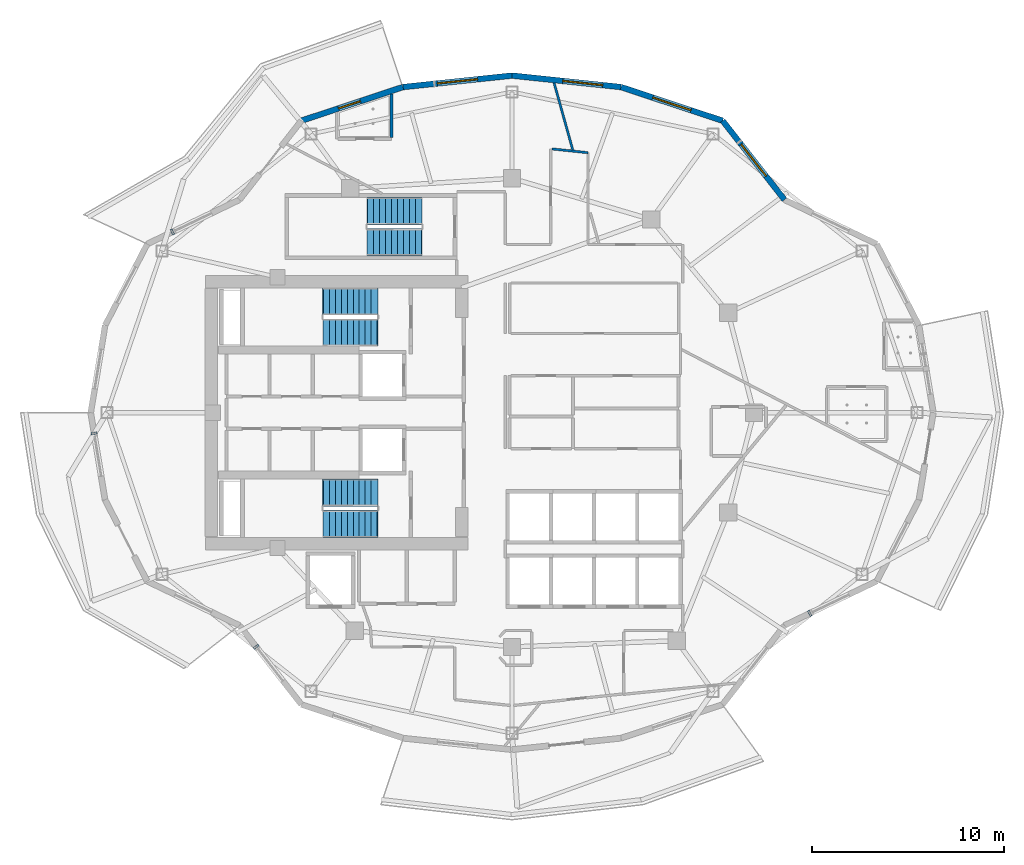
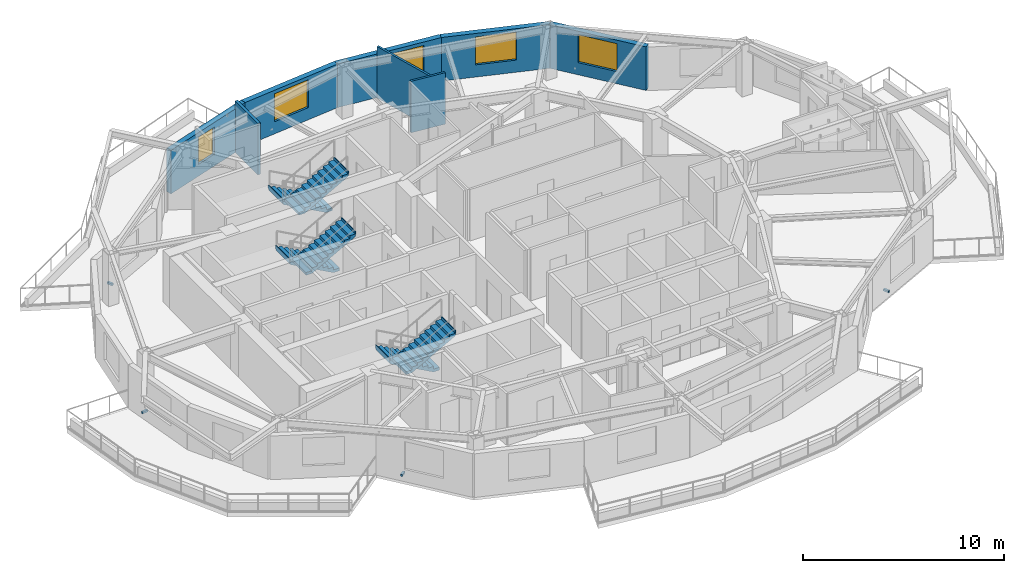
# One storey, part 7 of 14: 8 walls, 6 stair flights, 5 windows, 4 discrete accessories, 5 openings, 3 elements without a shape of their own.
"""IFC4 building model written with IfcOpenShell, lengths in metres."""

from ifc_helpers import new_model, si_unit, direction, frame, frame_2d, origin, origin_2d, place, context, subcontext, project, spatial, polyline, rectangle, outline, extrude, material, layer, layer_set, type_object, element, fill, aggregate, save


model = new_model("IFC4")

# Units and contexts
model_context = context("Model", 3, precision=1e-05, world=origin(), true_north=direction((0.0, 1.0)))
body_context = subcontext(model_context, "Body", "Model", "MODEL_VIEW")
ifc_project = project(units=[si_unit("LENGTHUNIT", "METRE"), si_unit("AREAUNIT", "SQUARE_METRE"), si_unit("VOLUMEUNIT", "CUBIC_METRE"), si_unit("PLANEANGLEUNIT", "RADIAN"), si_unit("MASSUNIT", "GRAM", prefix="KILO")], contexts=[model_context])

# Site, building, storey
site_placement = place(None, origin())
site = spatial("IfcSite", under=ifc_project, at=site_placement, CompositionType="ELEMENT")
building_placement = place(site_placement, origin())
building = spatial("IfcBuilding", under=site, at=building_placement, Name="Kolvaren Gate Tower and Convention Centre", CompositionType="ELEMENT")
storey_placement = place(building_placement, frame((0.0, 0.0, 173.300048828125)))
storey = spatial("IfcBuildingStorey", under=building, at=storey_placement, Name="L45", CompositionType="ELEMENT", Elevation=173.300048828125)

# Walls
ifc_material_1 = material(Name="Fire-Rated Acoustic Gypsum Stud Partition", Category="gypsum")
ifc_layer_1 = layer(ifc_material_1, 0.1201171875)
ifc_layer_set_1 = layer_set([ifc_layer_1], Name="Fire-Rated Acoustic Gypsum Stud Partition")
wall_type_1 = type_object("IfcWallType", Name="ARCH-WL-PART-120", PredefinedType="PARTITIONING", material=ifc_layer_set_1)
wall_1_placement = place(storey_placement, frame((32.2119140625, 40.73046875, 0.0), z_axis=(0.0, 0.0, 1.0), x_axis=(0.994511860417, -0.104623895405, 0.0)))
element("IfcWall", 1, at=wall_1_placement, inside=storey, type_object=wall_type_1, Name="Interior Partition WL-L45-INT-046", PredefinedType="PARTITIONING", context=body_context, shape_type="SweptSolid", body=[
    extrude(rectangle(XDim=1.87841796875, YDim=0.1201171875, at=frame_2d((0.939208984375, 0.0))), origin(), (0.0, 0.0, 1.0), 3.1298828125),
])
wall_2_placement = place(storey_placement, frame((32.317138671875, 44.166259765625, 0.0), z_axis=(0.0, 0.0, 1.0), x_axis=(0.268461316047, -0.963290465948, 0.0)))
element("IfcWall", 2, at=wall_2_placement, inside=storey, type_object=wall_type_1, Name="Interior Partition WL-L45-INT-070", PredefinedType="PARTITIONING", context=body_context, shape_type="SweptSolid", body=[
    extrude(rectangle(XDim=3.619384765625, YDim=0.1201171875, at=frame_2d((1.8095703125, 0.0))), origin(), (0.0, 0.0, 1.0), 3.1298828125),
])

# Wall, opening, window
ifc_material_2 = material(Name="Piedmont Cream Honed Limestone Cladding", Category="masonry")
ifc_layer_2 = layer(ifc_material_2, 0.300048828125)
ifc_layer_set_2 = layer_set([ifc_layer_2], Name="Piedmont Cream Honed Limestone Cladding")
wall_type_2 = type_object("IfcWallType", Name="ARCH-WL-STONE-300", PredefinedType="SOLIDWALL", material=ifc_layer_set_2)
wall_3_placement = place(storey_placement, frame((41.09375, 42.19873046875, 0.0), z_axis=(0.0, 0.0, 1.0), x_axis=(0.616429245738, -0.787410302828, 0.0)))
wall_3 = element("IfcWall", 3, at=wall_3_placement, inside=storey, type_object=wall_type_2, Name="Tower L45 Honed Stone Spandrel Wall EW-03", PredefinedType="SOLIDWALL", context=body_context, shape_type="SweptSolid", body=[
    extrude(rectangle(XDim=5.22314453125, YDim=0.300048828125, at=frame_2d((2.611572265625, 0.0))), origin(), (0.0, 0.0, 1.0), 2.65283203125),
])
opening_1_placement = place(wall_3_placement, frame((1.56201171875, 0.0, 0.739990234375)))
opening_1 = element("IfcOpeningElement", 4, at=opening_1_placement, cuts=wall_3, Name="Opening W-02", PredefinedType="OPENING", context=body_context, shape_type="SweptSolid", body=[
    extrude(rectangle(XDim=2.10009765625, YDim=1.699951171875, at=frame_2d((1.050048828125, 0.85009765625))), frame((0.0, 0.159912109375, 0.0), z_axis=(0.0, -1.0, 0.0), x_axis=(1.0, 0.0, 0.0)), (0.0, 0.0, 1.0), 0.320068359375),
])
ifc_material_3 = material(Name="Low-E Triple Insulated Glazing Unit 44 mm", Category="glass")
window_type_1 = type_object("IfcWindowType", Name="ARCH-WN-HTL-2100", PartitioningType="SINGLE_PANEL", PredefinedType="WINDOW", material=ifc_material_3)
window_1_placement = place(opening_1_placement, origin())
window_1 = element("IfcWindow", 5, at=window_1_placement, inside=storey, type_object=window_type_1, Name="Tower L45 Punched Stone Facade Window W-03", OverallHeight=1.699951171875, OverallWidth=2.10009765625, PartitioningType="SINGLE_PANEL", PredefinedType="WINDOW", context=body_context, shape_type="SweptSolid", body=[
    extrude(rectangle(XDim=2.10009765625, YDim=1.699951171875, at=frame_2d((1.050048828125, 0.85009765625))), frame((0.0, 0.030029296875, 0.0), z_axis=(0.0, -1.0, 0.0), x_axis=(1.0, 0.0, 0.0)), (0.0, 0.0, 1.0), 0.06005859375),
])
fill(opening_1, window_1)

wall_4_placement = place(storey_placement, frame((35.802734375, 43.951904296875, 0.0), z_axis=(0.0, 0.0, 1.0), x_axis=(0.949246811547, -0.314532177636, 0.0)))
wall_4 = element("IfcWall", 6, at=wall_4_placement, inside=storey, type_object=wall_type_2, Name="Tower L45 Honed Stone Spandrel Wall EW-04", PredefinedType="SOLIDWALL", context=body_context, shape_type="SweptSolid", body=[
    extrude(rectangle(XDim=5.573974609375, YDim=0.300048828125, at=frame_2d((2.787109375, 0.0))), origin(), (0.0, 0.0, 1.0), 2.65283203125),
])
opening_2_placement = place(wall_4_placement, frame((1.737060546875, 0.0, 0.739990234375)))
opening_2 = element("IfcOpeningElement", 7, at=opening_2_placement, cuts=wall_4, Name="Opening W-02", PredefinedType="OPENING", context=body_context, shape_type="SweptSolid", body=[
    extrude(rectangle(XDim=2.10009765625, YDim=1.699951171875, at=frame_2d((1.050048828125, 0.85009765625))), frame((0.0, 0.159912109375, 0.0), z_axis=(0.0, -1.0, 0.0), x_axis=(1.0, 0.0, 0.0)), (0.0, 0.0, 1.0), 0.320068359375),
])
window_2_placement = place(opening_2_placement, origin())
window_2 = element("IfcWindow", 8, at=window_2_placement, inside=storey, type_object=window_type_1, Name="Tower L45 Punched Stone Facade Window W-04", OverallHeight=1.699951171875, OverallWidth=2.10009765625, PartitioningType="SINGLE_PANEL", PredefinedType="WINDOW", context=body_context, shape_type="SweptSolid", body=[
    extrude(rectangle(XDim=2.10009765625, YDim=1.699951171875, at=frame_2d((1.050048828125, 0.85009765625))), frame((0.0, 0.030029296875, 0.0), z_axis=(0.0, -1.0, 0.0), x_axis=(1.0, 0.0, 0.0)), (0.0, 0.0, 1.0), 0.06005859375),
])
fill(opening_2, window_2)

wall_5_placement = place(storey_placement, frame((30.125, 44.550048828125, 0.0), z_axis=(0.0, 0.0, 1.0), x_axis=(0.994496545245, -0.104769372887, 0.0)))
wall_5 = element("IfcWall", 9, at=wall_5_placement, inside=storey, type_object=wall_type_2, Name="Tower L45 Honed Stone Spandrel Wall EW-05", PredefinedType="SOLIDWALL", context=body_context, shape_type="SweptSolid", body=[
    extrude(rectangle(XDim=5.709228515625, YDim=0.300048828125, at=frame_2d((2.8544921875, 0.0))), origin(), (0.0, 0.0, 1.0), 2.65283203125),
])
opening_3_placement = place(wall_5_placement, frame((2.64990234375, 0.0, 0.739990234375)))
opening_3 = element("IfcOpeningElement", 10, at=opening_3_placement, cuts=wall_5, Name="Opening W-02", PredefinedType="OPENING", context=body_context, shape_type="SweptSolid", body=[
    extrude(rectangle(XDim=2.10009765625, YDim=1.699951171875, at=frame_2d((1.050048828125, 0.85009765625))), frame((0.0, 0.159912109375, 0.0), z_axis=(0.0, -1.0, 0.0), x_axis=(1.0, 0.0, 0.0)), (0.0, 0.0, 1.0), 0.320068359375),
])
window_3_placement = place(opening_3_placement, origin())
window_3 = element("IfcWindow", 11, at=window_3_placement, inside=storey, type_object=window_type_1, Name="Tower L45 Punched Stone Facade Window W-05", OverallHeight=1.699951171875, OverallWidth=2.10009765625, PartitioningType="SINGLE_PANEL", PredefinedType="WINDOW", context=body_context, shape_type="SweptSolid", body=[
    extrude(rectangle(XDim=2.10009765625, YDim=1.699951171875, at=frame_2d((1.050048828125, 0.85009765625))), frame((0.0, 0.030029296875, 0.0), z_axis=(0.0, -1.0, 0.0), x_axis=(1.0, 0.0, 0.0)), (0.0, 0.0, 1.0), 0.06005859375),
])
fill(opening_3, window_3)

wall_6_placement = place(storey_placement, frame((24.447265625, 43.951904296875, 0.0), z_axis=(0.0, 0.0, 1.0), x_axis=(0.994496545245, 0.104769372887, 0.0)))
wall_6 = element("IfcWall", 12, at=wall_6_placement, inside=storey, type_object=wall_type_2, Name="Tower L45 Honed Stone Spandrel Wall EW-06", PredefinedType="SOLIDWALL", context=body_context, shape_type="SweptSolid", body=[
    extrude(rectangle(XDim=5.709228515625, YDim=0.300048828125, at=frame_2d((2.8544921875, 0.0))), origin(), (0.0, 0.0, 1.0), 2.65283203125),
])
opening_4_placement = place(wall_6_placement, frame((1.804931640625, 0.0, 0.739990234375)))
opening_4 = element("IfcOpeningElement", 13, at=opening_4_placement, cuts=wall_6, Name="Opening W-02", PredefinedType="OPENING", context=body_context, shape_type="SweptSolid", body=[
    extrude(rectangle(XDim=2.10009765625, YDim=1.699951171875, at=frame_2d((1.050048828125, 0.85009765625))), frame((0.0, 0.159912109375, 0.0), z_axis=(0.0, -1.0, 0.0), x_axis=(1.0, 0.0, 0.0)), (0.0, 0.0, 1.0), 0.320068359375),
])
window_4_placement = place(opening_4_placement, origin())
window_4 = element("IfcWindow", 14, at=window_4_placement, inside=storey, type_object=window_type_1, Name="Tower L45 Punched Stone Facade Window W-06", OverallHeight=1.699951171875, OverallWidth=2.10009765625, PartitioningType="SINGLE_PANEL", PredefinedType="WINDOW", context=body_context, shape_type="SweptSolid", body=[
    extrude(rectangle(XDim=2.10009765625, YDim=1.699951171875, at=frame_2d((1.050048828125, 0.85009765625))), frame((0.0, 0.030029296875, 0.0), z_axis=(0.0, -1.0, 0.0), x_axis=(1.0, 0.0, 0.0)), (0.0, 0.0, 1.0), 0.06005859375),
])
fill(opening_4, window_4)

wall_7_placement = place(storey_placement, frame((19.15625, 42.19873046875, 0.0), z_axis=(0.0, 0.0, 1.0), x_axis=(0.949246811547, 0.314532177636, 0.0)))
wall_7 = element("IfcWall", 15, at=wall_7_placement, inside=storey, type_object=wall_type_2, Name="Tower L45 Honed Stone Spandrel Wall EW-07", PredefinedType="SOLIDWALL", context=body_context, shape_type="SweptSolid", body=[
    extrude(rectangle(XDim=5.573974609375, YDim=0.300048828125, at=frame_2d((2.787109375, 0.0))), origin(), (0.0, 0.0, 1.0), 2.65283203125),
])
opening_5_placement = place(wall_7_placement, frame((2.0400390625, 0.0, 0.719970703125)))
opening_5 = element("IfcOpeningElement", 16, at=opening_5_placement, cuts=wall_7, Name="Opening W-04", PredefinedType="OPENING", context=body_context, shape_type="SweptSolid", body=[
    extrude(rectangle(XDim=1.199951171875, YDim=1.64990234375, at=frame_2d((0.60009765625, 0.824951171875))), frame((0.0, 0.159912109375, 0.0), z_axis=(0.0, -1.0, 0.0), x_axis=(1.0, 0.0, 0.0)), (0.0, 0.0, 1.0), 0.320068359375),
])
window_type_2 = type_object("IfcWindowType", Name="ARCH-WN-NARROW-1200", PartitioningType="SINGLE_PANEL", PredefinedType="WINDOW", material=ifc_material_3)
window_5_placement = place(opening_5_placement, origin())
window_5 = element("IfcWindow", 17, at=window_5_placement, inside=storey, type_object=window_type_2, Name="Tower L45 Punched Stone Facade Window W-07", OverallHeight=1.64990234375, OverallWidth=1.199951171875, PartitioningType="SINGLE_PANEL", PredefinedType="WINDOW", context=body_context, shape_type="SweptSolid", body=[
    extrude(rectangle(XDim=1.199951171875, YDim=1.64990234375, at=frame_2d((0.60009765625, 0.824951171875))), frame((0.0, 0.030029296875, 0.0), z_axis=(0.0, -1.0, 0.0), x_axis=(1.0, 0.0, 0.0)), (0.0, 0.0, 1.0), 0.06005859375),
])
fill(opening_5, window_5)

# Wall
ifc_material_4 = material(Name="Moisture-Resistant Cement-Board Acoustic Partition", Category="gypsum")
ifc_layer_3 = layer(ifc_material_4, 0.14990234375)
ifc_layer_set_3 = layer_set([ifc_layer_3], Name="Moisture-Resistant Cement-Board Acoustic Partition")
wall_type_3 = type_object("IfcWallType", Name="ARCH-WL-WET-150", PredefinedType="PARTITIONING", material=ifc_layer_set_3)
wall_8_placement = place(storey_placement, frame((23.85009765625, 41.326904296875, 0.0), z_axis=(0.0, 0.0, 1.0), x_axis=(0.0, 1.0, 0.0)))
element("IfcWall", 18, at=wall_8_placement, inside=storey, type_object=wall_type_3, Name="Interior Partition WL-L45-INT-074", PredefinedType="PARTITIONING", context=body_context, shape_type="SweptSolid", body=[
    extrude(rectangle(XDim=2.26708984375, YDim=0.14990234375, at=frame_2d((1.133544921875, 0.0))), origin(), (0.0, 0.0, 1.0), 3.1298828125),
])

# Stair, stair flights
ifc_material_5 = material(Name="Concrete C50/60", Category="concrete")
stair_type = type_object("IfcStairType", Name="STR-STAIR-CORE", PredefinedType="HALF_TURN_STAIR", material=ifc_material_5)
stair_1_placement = place(storey_placement, origin())
stair_1 = element("IfcStair", 19, at=stair_1_placement, inside=storey, type_object=stair_type, Name="L45 Tower North Exit Stair ST-T1", PredefinedType="HALF_TURN_STAIR")
stair_flight_type = type_object("IfcStairFlightType", Name="STR-SFL-1420", PredefinedType="STRAIGHT", material=ifc_material_5)
stair_flight_1_placement = place(storey_placement, frame((23.10009765625, 32.7900390625, 0.0), z_axis=(0.0, 0.0, 1.0), x_axis=(-1.0, 0.0, 0.0)))
stair_flight_1 = element("IfcStairFlight", 20, at=stair_flight_1_placement, type_object=stair_flight_type, Name="ST-T1 flight 1", NumberOfRisers=10, NumberOfTreads=9, PredefinedType="STRAIGHT", RiserHeight=0.17, TreadLength=0.31, context=body_context, shape_type="SweptSolid", body=[
    extrude(outline(polyline([(-0.034912109375, 0.0), (-0.034912109375, 0.169921875), (0.31005859375, 0.169921875), (0.31005859375, 0.340087890625), (0.6201171875, 0.340087890625), (0.6201171875, 0.510009765625), (0.929931640625, 0.510009765625), (0.929931640625, 0.679931640625), (1.239990234375, 0.679931640625), (1.239990234375, 0.85009765625), (1.550048828125, 0.85009765625), (1.550048828125, 1.02001953125), (1.860107421875, 1.02001953125), (1.860107421875, 1.18994140625), (2.169921875, 1.18994140625), (2.169921875, 1.360107421875), (2.47998046875, 1.360107421875), (2.47998046875, 1.530029296875), (2.7900390625, 1.530029296875), (2.7900390625, 1.699951171875), (2.8349609375, 1.699951171875), (2.8349609375, 1.5400390625), (2.7900390625, 1.359130859375), (0.311767578125, 0.0), (-0.034912109375, 0.0)])), frame((0.0, 0.7099609375, 0.0), z_axis=(0.0, -1.0, 0.0), x_axis=(1.0, 0.0, 0.0)), (0.0, 0.0, 1.0), 1.419921875),
])
stair_flight_2_placement = place(storey_placement, frame((20.31005859375, 31.169921875, 1.699951171875), z_axis=(0.0, 0.0, 1.0), x_axis=(1.0, 0.0, 0.0)))
stair_flight_2 = element("IfcStairFlight", 21, at=stair_flight_2_placement, type_object=stair_flight_type, Name="ST-T1 flight 2", NumberOfRisers=10, NumberOfTreads=9, PredefinedType="STRAIGHT", RiserHeight=0.17, TreadLength=0.31, context=body_context, shape_type="SweptSolid", body=[
    extrude(outline(polyline([(-0.034912109375, 0.0), (-0.034912109375, 0.169921875), (0.31005859375, 0.169921875), (0.31005859375, 0.340087890625), (0.6201171875, 0.340087890625), (0.6201171875, 0.510009765625), (0.929931640625, 0.510009765625), (0.929931640625, 0.679931640625), (1.239990234375, 0.679931640625), (1.239990234375, 0.85009765625), (1.550048828125, 0.85009765625), (1.550048828125, 1.02001953125), (1.860107421875, 1.02001953125), (1.860107421875, 1.18994140625), (2.169921875, 1.18994140625), (2.169921875, 1.360107421875), (2.47998046875, 1.360107421875), (2.47998046875, 1.530029296875), (2.7900390625, 1.530029296875), (2.7900390625, 1.699951171875), (2.8349609375, 1.699951171875), (2.8349609375, 1.5400390625), (2.7900390625, 1.359130859375), (0.311767578125, 0.0), (-0.034912109375, 0.0)])), frame((0.0, 0.7099609375, 0.0), z_axis=(0.0, -1.0, 0.0), x_axis=(1.0, 0.0, 0.0)), (0.0, 0.0, 1.0), 1.419921875),
])
aggregate(stair_1, [stair_flight_1, stair_flight_2])

stair_2_placement = place(storey_placement, origin())
stair_2 = element("IfcStair", 22, at=stair_2_placement, inside=storey, type_object=stair_type, Name="L45 Tower South Exit Stair ST-T2", PredefinedType="HALF_TURN_STAIR")
stair_flight_3_placement = place(storey_placement, frame((23.10009765625, 22.830078125, 0.0), z_axis=(0.0, 0.0, 1.0), x_axis=(-1.0, 0.0, 0.0)))
stair_flight_3 = element("IfcStairFlight", 23, at=stair_flight_3_placement, type_object=stair_flight_type, Name="ST-T2 flight 1", NumberOfRisers=10, NumberOfTreads=9, PredefinedType="STRAIGHT", RiserHeight=0.17, TreadLength=0.31, context=body_context, shape_type="SweptSolid", body=[
    extrude(outline(polyline([(-0.034912109375, 0.0), (-0.034912109375, 0.169921875), (0.31005859375, 0.169921875), (0.31005859375, 0.340087890625), (0.6201171875, 0.340087890625), (0.6201171875, 0.510009765625), (0.929931640625, 0.510009765625), (0.929931640625, 0.679931640625), (1.239990234375, 0.679931640625), (1.239990234375, 0.85009765625), (1.550048828125, 0.85009765625), (1.550048828125, 1.02001953125), (1.860107421875, 1.02001953125), (1.860107421875, 1.18994140625), (2.169921875, 1.18994140625), (2.169921875, 1.360107421875), (2.47998046875, 1.360107421875), (2.47998046875, 1.530029296875), (2.7900390625, 1.530029296875), (2.7900390625, 1.699951171875), (2.8349609375, 1.699951171875), (2.8349609375, 1.5400390625), (2.7900390625, 1.359130859375), (0.311767578125, 0.0), (-0.034912109375, 0.0)])), frame((0.0, 0.7099609375, 0.0), z_axis=(0.0, -1.0, 0.0), x_axis=(1.0, 0.0, 0.0)), (0.0, 0.0, 1.0), 1.419921875),
])
stair_flight_4_placement = place(storey_placement, frame((20.31005859375, 21.2099609375, 1.699951171875), z_axis=(0.0, 0.0, 1.0), x_axis=(1.0, 0.0, 0.0)))
stair_flight_4 = element("IfcStairFlight", 24, at=stair_flight_4_placement, type_object=stair_flight_type, Name="ST-T2 flight 2", NumberOfRisers=10, NumberOfTreads=9, PredefinedType="STRAIGHT", RiserHeight=0.17, TreadLength=0.31, context=body_context, shape_type="SweptSolid", body=[
    extrude(outline(polyline([(-0.034912109375, 0.0), (-0.034912109375, 0.169921875), (0.31005859375, 0.169921875), (0.31005859375, 0.340087890625), (0.6201171875, 0.340087890625), (0.6201171875, 0.510009765625), (0.929931640625, 0.510009765625), (0.929931640625, 0.679931640625), (1.239990234375, 0.679931640625), (1.239990234375, 0.85009765625), (1.550048828125, 0.85009765625), (1.550048828125, 1.02001953125), (1.860107421875, 1.02001953125), (1.860107421875, 1.18994140625), (2.169921875, 1.18994140625), (2.169921875, 1.360107421875), (2.47998046875, 1.360107421875), (2.47998046875, 1.530029296875), (2.7900390625, 1.530029296875), (2.7900390625, 1.699951171875), (2.8349609375, 1.699951171875), (2.8349609375, 1.5400390625), (2.7900390625, 1.359130859375), (0.311767578125, 0.0), (-0.034912109375, 0.0)])), frame((0.0, 0.7099609375, 0.0), z_axis=(0.0, -1.0, 0.0), x_axis=(1.0, 0.0, 0.0)), (0.0, 0.0, 1.0), 1.419921875),
])
aggregate(stair_2, [stair_flight_3, stair_flight_4])

stair_3_placement = place(storey_placement, origin())
stair_3 = element("IfcStair", 25, at=stair_3_placement, inside=storey, type_object=stair_type, Name="L45 Tower Mid-Zone Exit Stair ST-T3", PredefinedType="HALF_TURN_STAIR")
stair_flight_5_placement = place(storey_placement, frame((25.39990234375, 37.489990234375, 0.0), z_axis=(0.0, 0.0, 1.0), x_axis=(-1.0, 0.0, 0.0)))
stair_flight_5 = element("IfcStairFlight", 26, at=stair_flight_5_placement, type_object=stair_flight_type, Name="ST-T3 flight 1", NumberOfRisers=10, NumberOfTreads=9, PredefinedType="STRAIGHT", RiserHeight=0.17, TreadLength=0.31, context=body_context, shape_type="SweptSolid", body=[
    extrude(outline(polyline([(-0.034912109375, 0.0), (-0.034912109375, 0.169921875), (0.31005859375, 0.169921875), (0.31005859375, 0.340087890625), (0.6201171875, 0.340087890625), (0.6201171875, 0.510009765625), (0.929931640625, 0.510009765625), (0.929931640625, 0.679931640625), (1.239990234375, 0.679931640625), (1.239990234375, 0.85009765625), (1.550048828125, 0.85009765625), (1.550048828125, 1.02001953125), (1.860107421875, 1.02001953125), (1.860107421875, 1.18994140625), (2.169921875, 1.18994140625), (2.169921875, 1.360107421875), (2.47998046875, 1.360107421875), (2.47998046875, 1.530029296875), (2.7900390625, 1.530029296875), (2.7900390625, 1.699951171875), (2.8349609375, 1.699951171875), (2.8349609375, 1.5400390625), (2.7900390625, 1.359130859375), (0.311767578125, 0.0), (-0.034912109375, 0.0)])), frame((0.0, 0.7099609375, 0.0), z_axis=(0.0, -1.0, 0.0), x_axis=(1.0, 0.0, 0.0)), (0.0, 0.0, 1.0), 1.419921875),
])
stair_flight_6_placement = place(storey_placement, frame((22.610107421875, 35.8701171875, 1.699951171875), z_axis=(0.0, 0.0, 1.0), x_axis=(1.0, 0.0, 0.0)))
stair_flight_6 = element("IfcStairFlight", 27, at=stair_flight_6_placement, type_object=stair_flight_type, Name="ST-T3 flight 2", NumberOfRisers=10, NumberOfTreads=9, PredefinedType="STRAIGHT", RiserHeight=0.17, TreadLength=0.31, context=body_context, shape_type="SweptSolid", body=[
    extrude(outline(polyline([(-0.034912109375, 0.0), (-0.034912109375, 0.169921875), (0.31005859375, 0.169921875), (0.31005859375, 0.340087890625), (0.6201171875, 0.340087890625), (0.6201171875, 0.510009765625), (0.929931640625, 0.510009765625), (0.929931640625, 0.679931640625), (1.239990234375, 0.679931640625), (1.239990234375, 0.85009765625), (1.550048828125, 0.85009765625), (1.550048828125, 1.02001953125), (1.860107421875, 1.02001953125), (1.860107421875, 1.18994140625), (2.169921875, 1.18994140625), (2.169921875, 1.360107421875), (2.47998046875, 1.360107421875), (2.47998046875, 1.530029296875), (2.7900390625, 1.530029296875), (2.7900390625, 1.699951171875), (2.8349609375, 1.699951171875), (2.8349609375, 1.5400390625), (2.7900390625, 1.359130859375), (0.311767578125, 0.0), (-0.034912109375, 0.0)])), frame((0.0, 0.7099609375, 0.0), z_axis=(0.0, -1.0, 0.0), x_axis=(1.0, 0.0, 0.0)), (0.0, 0.0, 1.0), 1.419921875),
])
aggregate(stair_3, [stair_flight_5, stair_flight_6])

# Discrete accessories
ifc_material_6 = material(Name="Anodized Architectural Aluminium Alloy 6063-T6", Category="aluminium")
discrete_accessory_type = type_object("IfcDiscreteAccessoryType", Name="ARCH-ACC-BRACKET-120", PredefinedType="BRACKET", material=ifc_material_6)
for number, where, z_axis, x_axis, name in (
    (28, (12.44091796875, 36.406494140625, 0.289794921875), (0.0, 0.0, 1.0), (0.901358389955, 0.433073957723, 0.0), "Ceramic Fin Wall Anchor Bracket FBK-L45-09"),
    (29, (8.36474609375, 25.922607421875, 0.289794921875), (0.0, 0.0, 1.0), (0.162380568014, -0.986728205298, 0.0), "Ceramic Fin Wall Anchor Bracket FBK-L45-12"),
    (30, (16.80078125, 14.81005859375, 0.289794921875), (0.0, 0.0, 1.0), (0.616434119112, -0.787406487651, 0.0), "Ceramic Fin Wall Anchor Bracket FBK-L45-15"),
    (31, (45.627685546875, 16.54541015625, 0.289794921875), (0.0, 0.0, 1.0), (0.901358389955, 0.433073957723, 0.0), "Ceramic Fin Wall Anchor Bracket FBK-L45-21"),
):
    element("IfcDiscreteAccessory", number, at=place(storey_placement, frame(where, z_axis=z_axis, x_axis=x_axis)), inside=storey, type_object=discrete_accessory_type, Name=name, PredefinedType="BRACKET", context=body_context, shape_type="SweptSolid", body=[
        extrude(rectangle(XDim=0.1201171875, YDim=0.320068359375, at=origin_2d()), origin(), (0.0, 0.0, 1.0), 0.1201171875),
    ])

save(model, "model.ifc")
